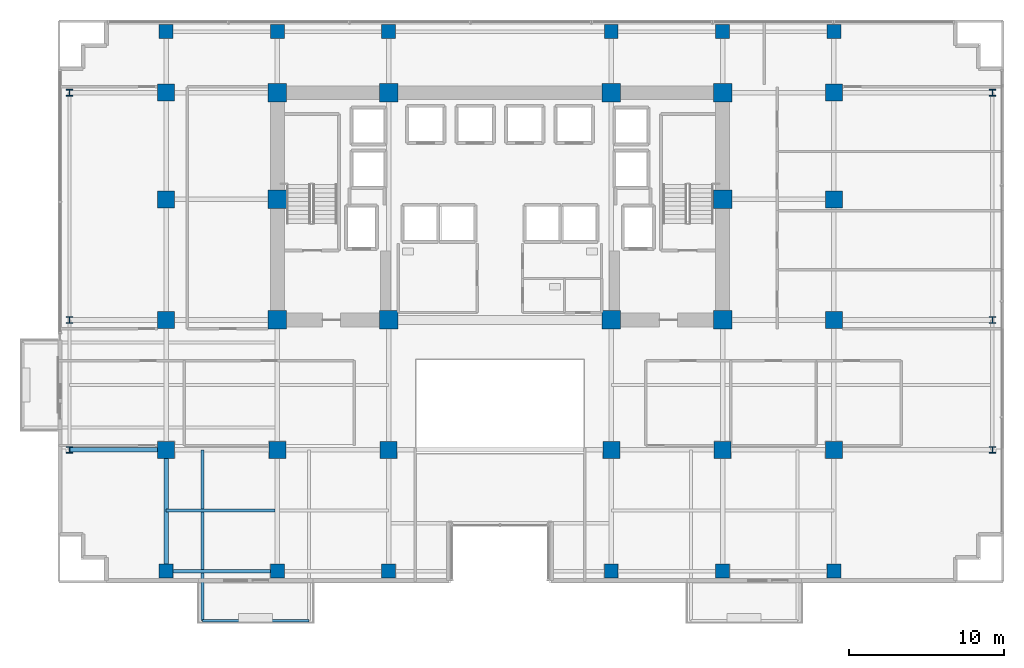
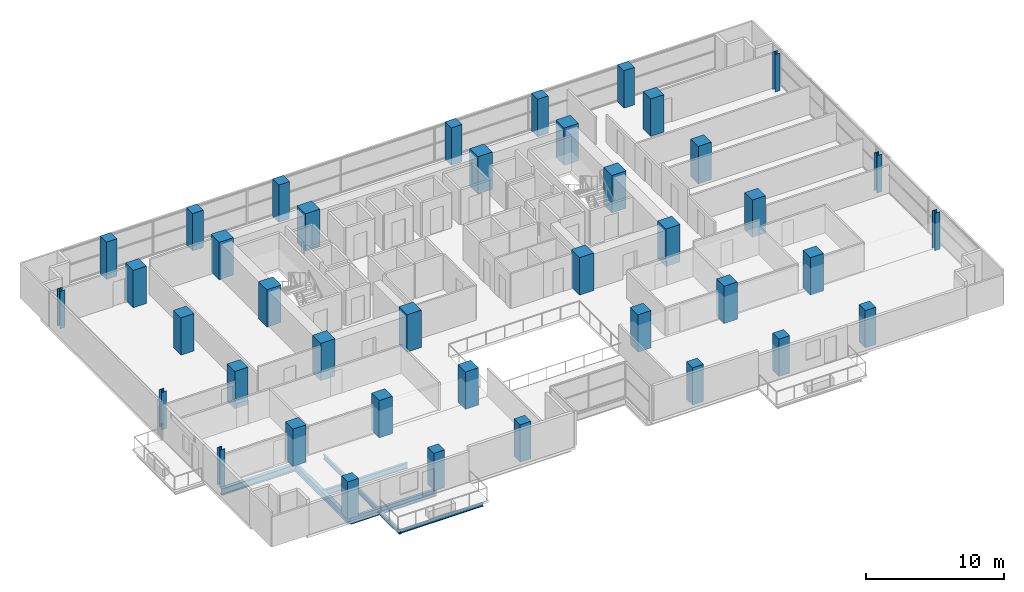
# One storey, part 1 of 32: 40 columns, 6 beams.
"""IFC4 building model written with IfcOpenShell, lengths in metres."""

from ifc_helpers import new_model, si_unit, direction, frame, origin, origin_2d, place, context, subcontext, project, spatial, rectangle, i_section, extrude, material, material_profile, profile_set, type_object, element, save


model = new_model("IFC4")

# Units and contexts
model_context = context("Model", 3, precision=1e-05, world=origin(), true_north=direction((0.0, 1.0)))
body_context = subcontext(model_context, "Body", "Model", "MODEL_VIEW")
ifc_project = project(units=[si_unit("LENGTHUNIT", "METRE"), si_unit("AREAUNIT", "SQUARE_METRE"), si_unit("VOLUMEUNIT", "CUBIC_METRE"), si_unit("PLANEANGLEUNIT", "RADIAN"), si_unit("MASSUNIT", "GRAM", prefix="KILO")], contexts=[model_context])

# Site, building, storey
site_placement = place(None, origin())
site = spatial("IfcSite", under=ifc_project, at=site_placement, CompositionType="ELEMENT")
building_placement = place(site_placement, origin())
building = spatial("IfcBuilding", under=site, at=building_placement, Name="Zarnakvel Exchange Tower", CompositionType="ELEMENT")
storey_placement = place(building_placement, frame((0.0, 0.0, 73.60009765625)))
storey = spatial("IfcBuildingStorey", under=building, at=storey_placement, Name="L20", CompositionType="ELEMENT", Elevation=73.60009765625)

# Columns
ifc_material_1 = material(Name="Concrete C80/95", Category="concrete")
ifc_material_profile_1 = material_profile(ifc_material_1, rectangle(XDim=1.199951171875, YDim=1.199951171875, at=origin_2d()))
ifc_profile_set_1 = profile_set([ifc_material_profile_1], Name="Concrete C80/95")
column_type_1 = type_object("IfcColumnType", Name="CC-01", PredefinedType="COLUMN", material=ifc_profile_set_1)
for number, where, z_axis, x_axis, name in (
    (1, (-14.39990234375, -1.199951171875, 0.0), (0.0, 0.0, 1.0), (1.0, 0.0, 0.0), "L20 Column C-4D (CC-01)"),
    (2, (-7.199951171875, -1.199951171875, 0.0), (0.0, 0.0, 1.0), (1.0, 0.0, 0.0), "L20 Column C-5D (CC-01)"),
    (3, (7.199951171875, -1.199951171875, 0.0), (0.0, 0.0, 1.0), (1.0, 0.0, 0.0), "L20 Column C-8D (CC-01)"),
    (4, (14.39990234375, -1.199951171875, 0.0), (0.0, 0.0, 1.0), (1.0, 0.0, 0.0), "L20 Column C-9D (CC-01)"),
    (5, (-14.39990234375, 6.60009765625, 0.0), (0.0, 0.0, 1.0), (1.0, 0.0, 0.0), "L20 Column C-4E (CC-01)"),
    (6, (14.39990234375, 6.60009765625, 0.0), (0.0, 0.0, 1.0), (1.0, 0.0, 0.0), "L20 Column C-9E (CC-01)"),
    (7, (-14.39990234375, 13.5, 0.0), (0.0, 0.0, 1.0), (1.0, 0.0, 0.0), "L20 Column C-4F (CC-01)"),
    (8, (-7.199951171875, 13.5, 0.0), (0.0, 0.0, 1.0), (1.0, 0.0, 0.0), "L20 Column C-5F (CC-01)"),
    (9, (7.199951171875, 13.5, 0.0), (0.0, 0.0, 1.0), (1.0, 0.0, 0.0), "L20 Column C-8F (CC-01)"),
    (10, (14.39990234375, 13.5, 0.0), (0.0, 0.0, 1.0), (1.0, 0.0, 0.0), "L20 Column C-9F (CC-01)"),
):
    element("IfcColumn", number, at=place(storey_placement, frame(where, z_axis=z_axis, x_axis=x_axis)), inside=storey, type_object=column_type_1, Name=name, PredefinedType="COLUMN", context=body_context, shape_type="SweptSolid", body=[
        extrude(rectangle(XDim=1.199951171875, YDim=1.199951171875, at=origin_2d()), origin(), (0.0, 0.0, 1.0), 3.2998046875),
    ])
ifc_material_2 = material(Name="Steel S355", Category="steel")
ifc_material_profile_2 = material_profile(ifc_material_2, i_section(OverallWidth=0.412109375, OverallDepth=0.425048828125, WebThickness=0.02587890625, FlangeThickness=0.0390625, FilletRadius=0.014892578125, at=origin_2d()))
ifc_profile_set_2 = profile_set([ifc_material_profile_2], Name="Steel S355")
column_type_2 = type_object("IfcColumnType", Name="SC-01", PredefinedType="COLUMN", material=ifc_profile_set_2)
for number, where, z_axis, x_axis, name in (
    (11, (-27.85009765625, -9.60009765625, 0.0), (0.0, 0.0, 1.0), (1.0, 0.0, 0.0), "L20 Column TW-C (SC-01)"),
    (12, (31.85009765625, -9.60009765625, 0.0), (0.0, 0.0, 1.0), (1.0, 0.0, 0.0), "L20 Column TE-C (SC-01)"),
    (13, (-27.85009765625, -1.199951171875, 0.0), (0.0, 0.0, 1.0), (1.0, 0.0, 0.0), "L20 Column TW-D (SC-01)"),
    (14, (31.85009765625, -1.199951171875, 0.0), (0.0, 0.0, 1.0), (1.0, 0.0, 0.0), "L20 Column TE-D (SC-01)"),
    (15, (-27.85009765625, 13.5, 0.0), (0.0, 0.0, 1.0), (1.0, 0.0, 0.0), "L20 Column TW-F (SC-01)"),
    (16, (31.85009765625, 13.5, 0.0), (0.0, 0.0, 1.0), (1.0, 0.0, 0.0), "L20 Column TE-F (SC-01)"),
):
    element("IfcColumn", number, at=place(storey_placement, frame(where, z_axis=z_axis, x_axis=x_axis)), inside=storey, type_object=column_type_2, Name=name, PredefinedType="COLUMN", context=body_context, shape_type="SweptSolid", body=[
        extrude(i_section(OverallWidth=0.412109375, OverallDepth=0.425048828125, WebThickness=0.02587890625, FlangeThickness=0.0390625, FilletRadius=0.014892578125, at=origin_2d()), origin(), (0.0, 0.0, 1.0), 3.2998046875),
    ])
ifc_material_profile_3 = material_profile(ifc_material_1, rectangle(XDim=1.10009765625, YDim=1.10009765625, at=origin_2d()))
ifc_profile_set_3 = profile_set([ifc_material_profile_3], Name="Concrete C80/95")
column_type_3 = type_object("IfcColumnType", Name="TC-01", PredefinedType="COLUMN", material=ifc_profile_set_3)
for number, where, z_axis, x_axis, name in (
    (17, (-14.39990234375, -9.60009765625, 0.0), (0.0, 0.0, 1.0), (1.0, 0.0, 0.0), "L20 Column T-4C (TC-01)"),
    (18, (-7.199951171875, -9.60009765625, 0.0), (0.0, 0.0, 1.0), (1.0, 0.0, 0.0), "L20 Column T-5C (TC-01)"),
    (19, (7.199951171875, -9.60009765625, 0.0), (0.0, 0.0, 1.0), (1.0, 0.0, 0.0), "L20 Column T-8C (TC-01)"),
    (20, (14.39990234375, -9.60009765625, 0.0), (0.0, 0.0, 1.0), (1.0, 0.0, 0.0), "L20 Column T-9C (TC-01)"),
    (21, (-21.60009765625, -9.60009765625, 0.0), (0.0, 0.0, 1.0), (1.0, 0.0, 0.0), "L20 Column T-3C (TC-01)"),
    (22, (-21.60009765625, -1.199951171875, 0.0), (0.0, 0.0, 1.0), (1.0, 0.0, 0.0), "L20 Column T-3D (TC-01)"),
    (23, (-21.60009765625, 6.60009765625, 0.0), (0.0, 0.0, 1.0), (1.0, 0.0, 0.0), "L20 Column T-3E (TC-01)"),
    (24, (-21.60009765625, 13.5, 0.0), (0.0, 0.0, 1.0), (1.0, 0.0, 0.0), "L20 Column T-3F (TC-01)"),
    (25, (21.60009765625, -9.60009765625, 0.0), (0.0, 0.0, 1.0), (1.0, 0.0, 0.0), "L20 Column T-10C (TC-01)"),
    (26, (21.60009765625, -1.199951171875, 0.0), (0.0, 0.0, 1.0), (1.0, 0.0, 0.0), "L20 Column T-10D (TC-01)"),
    (27, (21.60009765625, 6.60009765625, 0.0), (0.0, 0.0, 1.0), (1.0, 0.0, 0.0), "L20 Column T-10E (TC-01)"),
    (28, (21.60009765625, 13.5, 0.0), (0.0, 0.0, 1.0), (1.0, 0.0, 0.0), "L20 Column T-10F (TC-01)"),
):
    element("IfcColumn", number, at=place(storey_placement, frame(where, z_axis=z_axis, x_axis=x_axis)), inside=storey, type_object=column_type_3, Name=name, PredefinedType="COLUMN", context=body_context, shape_type="SweptSolid", body=[
        extrude(rectangle(XDim=1.10009765625, YDim=1.10009765625, at=origin_2d()), origin(), (0.0, 0.0, 1.0), 3.2998046875),
    ])
ifc_material_3 = material(Name="Concrete C60/75", Category="concrete")
ifc_material_profile_4 = material_profile(ifc_material_3, rectangle(XDim=0.89990234375, YDim=0.89990234375, at=origin_2d()))
ifc_profile_set_4 = profile_set([ifc_material_profile_4], Name="Concrete C60/75")
column_type_4 = type_object("IfcColumnType", Name="TC-02", PredefinedType="COLUMN", material=ifc_profile_set_4)
for number, where, z_axis, x_axis, name in (
    (29, (-14.39990234375, -17.449951171875, 0.0), (0.0, 0.0, 1.0), (1.0, 0.0, 0.0), "L20 Column TS-4 (TC-02)"),
    (30, (-14.39990234375, 17.449951171875, 0.0), (0.0, 0.0, 1.0), (1.0, 0.0, 0.0), "L20 Column TN-4 (TC-02)"),
    (31, (-7.199951171875, -17.449951171875, 0.0), (0.0, 0.0, 1.0), (1.0, 0.0, 0.0), "L20 Column TS-5 (TC-02)"),
    (32, (-7.199951171875, 17.449951171875, 0.0), (0.0, 0.0, 1.0), (1.0, 0.0, 0.0), "L20 Column TN-5 (TC-02)"),
    (33, (7.199951171875, -17.449951171875, 0.0), (0.0, 0.0, 1.0), (1.0, 0.0, 0.0), "L20 Column TS-8 (TC-02)"),
    (34, (7.199951171875, 17.449951171875, 0.0), (0.0, 0.0, 1.0), (1.0, 0.0, 0.0), "L20 Column TN-8 (TC-02)"),
    (35, (14.39990234375, -17.449951171875, 0.0), (0.0, 0.0, 1.0), (1.0, 0.0, 0.0), "L20 Column TS-9 (TC-02)"),
    (36, (14.39990234375, 17.449951171875, 0.0), (0.0, 0.0, 1.0), (1.0, 0.0, 0.0), "L20 Column TN-9 (TC-02)"),
    (37, (-21.60009765625, -17.449951171875, 0.0), (0.0, 0.0, 1.0), (1.0, 0.0, 0.0), "L20 Column TS-3 (TC-02)"),
    (38, (-21.60009765625, 17.449951171875, 0.0), (0.0, 0.0, 1.0), (1.0, 0.0, 0.0), "L20 Column TN-3 (TC-02)"),
    (39, (21.60009765625, -17.449951171875, 0.0), (0.0, 0.0, 1.0), (1.0, 0.0, 0.0), "L20 Column TS-10 (TC-02)"),
    (40, (21.60009765625, 17.449951171875, 0.0), (0.0, 0.0, 1.0), (1.0, 0.0, 0.0), "L20 Column TN-10 (TC-02)"),
):
    element("IfcColumn", number, at=place(storey_placement, frame(where, z_axis=z_axis, x_axis=x_axis)), inside=storey, type_object=column_type_4, Name=name, PredefinedType="COLUMN", context=body_context, shape_type="SweptSolid", body=[
        extrude(rectangle(XDim=0.89990234375, YDim=0.89990234375, at=origin_2d()), origin(), (0.0, 0.0, 1.0), 3.2998046875),
    ])

# Beams
ifc_material_profile_5 = material_profile(ifc_material_2, i_section(OverallWidth=0.199951171875, OverallDepth=0.5, WebThickness=0.01025390625, FlangeThickness=0.01611328125, FilletRadius=0.02099609375, at=origin_2d()))
ifc_profile_set_5 = profile_set([ifc_material_profile_5], Name="Steel S355")
beam_type_1 = type_object("IfcBeamType", Name="B-04", PredefinedType="JOIST", material=ifc_profile_set_5)
beam_1_placement = place(storey_placement, frame((-21.60009765625, -13.52490234375, -0.47509765625), z_axis=(1.0, 0.0, 0.0), x_axis=(0.0, 1.0, 0.0)))
element("IfcBeam", 41, at=beam_1_placement, inside=storey, type_object=beam_type_1, Name="L20 Composite Floor Secondary Joist", PredefinedType="JOIST", context=body_context, shape_type="SweptSolid", body=[
    extrude(i_section(OverallWidth=0.199951171875, OverallDepth=0.5, WebThickness=0.01025390625, FlangeThickness=0.01611328125, FilletRadius=0.02099609375, at=origin_2d()), origin(), (0.0, 0.0, 1.0), 7.050048828125),
])
ifc_material_profile_6 = material_profile(ifc_material_2, i_section(OverallWidth=0.179931640625, OverallDepth=0.39990234375, WebThickness=0.008544921875, FlangeThickness=0.013427734375, FilletRadius=0.02099609375, at=origin_2d()))
ifc_profile_set_6 = profile_set([ifc_material_profile_6], Name="Steel S355")
beam_type_2 = type_object("IfcBeamType", Name="B-06", PredefinedType="JOIST", material=ifc_profile_set_6)
beam_2_placement = place(storey_placement, frame((-19.25, -9.60009765625, -0.425048828125), z_axis=(0.0, -1.0, 0.0), x_axis=(1.0, 0.0, 0.0)))
element("IfcBeam", 42, at=beam_2_placement, inside=storey, type_object=beam_type_2, Name="L20 Continuous Back-Spanned Balcony Beam W", PredefinedType="JOIST", context=body_context, shape_type="SweptSolid", body=[
    extrude(i_section(OverallWidth=0.179931640625, OverallDepth=0.39990234375, WebThickness=0.008544921875, FlangeThickness=0.013427734375, FilletRadius=0.02099609375, at=origin_2d()), origin(), (0.0, 0.0, 1.0), 11.0498046875),
])
ifc_material_profile_7 = material_profile(ifc_material_2, i_section(OverallWidth=0.14990234375, OverallDepth=0.300048828125, WebThickness=0.007080078125, FlangeThickness=0.0107421875, FilletRadius=0.014892578125, at=origin_2d()))
ifc_profile_set_7 = profile_set([ifc_material_profile_7], Name="Steel S355")
beam_type_3 = type_object("IfcBeamType", Name="B-08", PredefinedType="JOIST", material=ifc_profile_set_7)
beam_3_placement = place(storey_placement, frame((-19.25, -20.64990234375, -0.375), z_axis=(1.0, 0.0, 0.0), x_axis=(0.0, 1.0, 0.0)))
element("IfcBeam", 43, at=beam_3_placement, inside=storey, type_object=beam_type_3, Name="L20 Balcony Edge Beam", PredefinedType="JOIST", context=body_context, shape_type="SweptSolid", body=[
    extrude(i_section(OverallWidth=0.14990234375, OverallDepth=0.300048828125, WebThickness=0.007080078125, FlangeThickness=0.0107421875, FilletRadius=0.014892578125, at=origin_2d()), origin(), (0.0, 0.0, 1.0), 6.89990234375),
])
ifc_material_profile_8 = material_profile(ifc_material_2, i_section(OverallWidth=0.300048828125, OverallDepth=0.60009765625, WebThickness=0.015380859375, FlangeThickness=0.030029296875, FilletRadius=0.027099609375, at=origin_2d()))
ifc_profile_set_8 = profile_set([ifc_material_profile_8], Name="Steel S355")
beam_type_4 = type_object("IfcBeamType", Name="G-04", PredefinedType="BEAM", material=ifc_profile_set_8)
beam_4_placement = place(storey_placement, frame((-27.85009765625, -9.60009765625, -0.525146484375), z_axis=(1.0, 0.0, 0.0), x_axis=(0.0, 1.0, 0.0)))
element("IfcBeam", 44, at=beam_4_placement, inside=storey, type_object=beam_type_4, Name="L20 Tower E-W Frame Beam", PredefinedType="BEAM", context=body_context, shape_type="SweptSolid", body=[
    extrude(i_section(OverallWidth=0.300048828125, OverallDepth=0.60009765625, WebThickness=0.015380859375, FlangeThickness=0.030029296875, FilletRadius=0.027099609375, at=origin_2d()), origin(), (0.0, 0.0, 1.0), 6.25),
])
beam_5_placement = place(storey_placement, frame((-21.60009765625, -17.449951171875, -0.525146484375), z_axis=(0.0, 1.0, 0.0), x_axis=(-1.0, 0.0, 0.0)))
element("IfcBeam", 45, at=beam_5_placement, inside=storey, type_object=beam_type_4, Name="L20 Tower N-S Frame Beam", PredefinedType="BEAM", context=body_context, shape_type="SweptSolid", body=[
    extrude(i_section(OverallWidth=0.300048828125, OverallDepth=0.60009765625, WebThickness=0.015380859375, FlangeThickness=0.030029296875, FilletRadius=0.027099609375, at=origin_2d()), origin(), (0.0, 0.0, 1.0), 7.849853515625),
])
ifc_material_profile_9 = material_profile(ifc_material_2, i_section(OverallWidth=0.219970703125, OverallDepth=0.60009765625, WebThickness=0.011962890625, FlangeThickness=0.01904296875, FilletRadius=0.02392578125, at=origin_2d()))
ifc_profile_set_9 = profile_set([ifc_material_profile_9], Name="Steel S355")
beam_type_5 = type_object("IfcBeamType", Name="SP-01", PredefinedType="SPANDREL", material=ifc_profile_set_9)
beam_6_placement = place(storey_placement, frame((-21.60009765625, -17.449951171875, -0.525146484375), z_axis=(1.0, 0.0, 0.0), x_axis=(0.0, 1.0, 0.0)))
element("IfcBeam", 46, at=beam_6_placement, inside=storey, type_object=beam_type_5, Name="L20 Tower E-W Frame Beam", PredefinedType="SPANDREL", context=body_context, shape_type="SweptSolid", body=[
    extrude(i_section(OverallWidth=0.219970703125, OverallDepth=0.60009765625, WebThickness=0.011962890625, FlangeThickness=0.01904296875, FilletRadius=0.02392578125, at=origin_2d()), origin(), (0.0, 0.0, 1.0), 7.2001953125),
])

save(model, "model.ifc")
